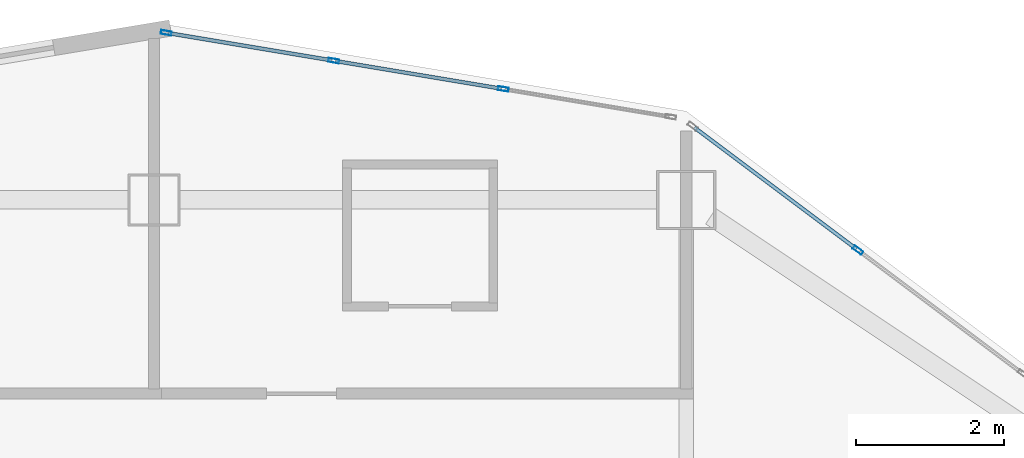
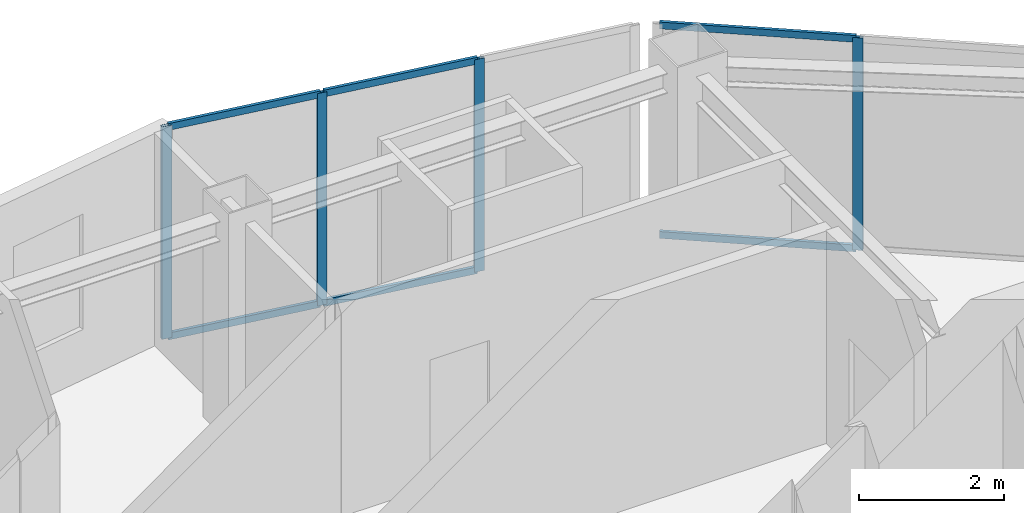
# One storey, part 2 of 9: 10 members, 2 elements without a shape of their own.
"""IFC4 building model written with IfcOpenShell, lengths in metres."""

from ifc_helpers import new_model, si_unit, direction, frame, origin, origin_2d, place, context, subcontext, project, spatial, hollow_rectangle, extrude, material, layer, layer_set, material_profile, profile_set, type_object, element, aggregate, save


model = new_model("IFC4")

# Units and contexts
model_context = context("Model", 3, precision=1e-05, world=origin(), true_north=direction((0.0, 1.0)))
body_context = subcontext(model_context, "Body", "Model", "MODEL_VIEW")
ifc_project = project(units=[si_unit("LENGTHUNIT", "METRE"), si_unit("AREAUNIT", "SQUARE_METRE"), si_unit("VOLUMEUNIT", "CUBIC_METRE"), si_unit("PLANEANGLEUNIT", "RADIAN"), si_unit("MASSUNIT", "GRAM", prefix="KILO")], contexts=[model_context])

# Site, building, storey
site_placement = place(None, origin())
site = spatial("IfcSite", under=ifc_project, at=site_placement, CompositionType="ELEMENT")
building_placement = place(site_placement, origin())
building = spatial("IfcBuilding", under=site, at=building_placement, Name="Haolan Belvedere Tower", CompositionType="ELEMENT")
storey_placement = place(building_placement, frame((0.0, 0.0, 273.699951171875)))
storey = spatial("IfcBuildingStorey", under=building, at=storey_placement, Name="L69", CompositionType="ELEMENT", Elevation=273.699951171875)

# Curtain wall, member
ifc_material_1 = material(Name="Anodised champagne-silver aluminium 6063-T6 and Low-E glass", Category="aluminium")
ifc_layer = layer(ifc_material_1, 0.14501953125, Name="Anodised champagne-silver aluminium 6063-T6 and Low-E glass")
ifc_layer_set = layer_set([ifc_layer], Name="Anodised champagne-silver aluminium 6063-T6 and Low-E glass")
curtain_wall_type = type_object("IfcCurtainWallType", Name="CW-SYS-05", PredefinedType="NOTDEFINED", material=ifc_layer_set)
curtain_wall_1_placement = place(storey_placement, origin())
curtain_wall_1 = element("IfcCurtainWall", 1, at=curtain_wall_1_placement, inside=storey, type_object=curtain_wall_type, Name="L69 CW-SYS-05 ribbon curtain wall 8.1", PredefinedType="NOTDEFINED")
ifc_material_2 = material(Name="Anodised aluminium 6063-T6", Category="aluminium")
ifc_material_profile_1 = material_profile(ifc_material_2, hollow_rectangle(XDim=0.053955078125, YDim=0.14501953125, WallThickness=0.00390625, at=origin_2d()), Name="Anodised aluminium 6063-T6")
ifc_profile_set_1 = profile_set([ifc_material_profile_1], Name="Anodised aluminium 6063-T6")
member_type_1 = type_object("IfcMemberType", Name="CW-SYS-05-MUL", PredefinedType="MULLION", material=ifc_profile_set_1)
member_1_placement = place(storey_placement, frame((47.9228515625, 49.720458984375, 0.0), z_axis=(0.0, 0.0, 1.0), x_axis=(-0.600002837806, -0.799997871638, 0.0)))
member_1 = element("IfcMember", 2, at=member_1_placement, type_object=member_type_1, Name="CW-05 mullion 2", PredefinedType="MULLION", context=body_context, shape_type="SweptSolid", body=[
    extrude(hollow_rectangle(XDim=0.053955078125, YDim=0.14501953125, WallThickness=0.00390625, at=origin_2d()), origin(), (0.0, 0.0, 1.0), 3.590087890625),
])

# Curtain wall, members
curtain_wall_2_placement = place(storey_placement, origin())
curtain_wall_2 = element("IfcCurtainWall", 3, at=curtain_wall_2_placement, inside=storey, type_object=curtain_wall_type, Name="L69 CW-SYS-05 ribbon curtain wall 9.1", PredefinedType="NOTDEFINED")
member_2_placement = place(storey_placement, frame((43.124267578125, 51.901123046875, 0.0), z_axis=(0.0, 0.0, 1.0), x_axis=(-0.164405962825, -0.98639276122, 0.0)))
member_2 = element("IfcMember", 4, at=member_2_placement, type_object=member_type_1, Name="CW-05 mullion 2", PredefinedType="MULLION", context=body_context, shape_type="SweptSolid", body=[
    extrude(hollow_rectangle(XDim=0.053955078125, YDim=0.14501953125, WallThickness=0.00390625, at=origin_2d()), origin(), (0.0, 0.0, 1.0), 3.590087890625),
])
member_3_placement = place(storey_placement, frame((40.831298828125, 52.283203125, 0.0), z_axis=(0.0, 0.0, 1.0), x_axis=(-0.164405962825, -0.98639276122, 0.0)))
member_3 = element("IfcMember", 5, at=member_3_placement, type_object=member_type_1, Name="CW-05 mullion 3", PredefinedType="MULLION", context=body_context, shape_type="SweptSolid", body=[
    extrude(hollow_rectangle(XDim=0.053955078125, YDim=0.14501953125, WallThickness=0.00390625, at=origin_2d()), origin(), (0.0, 0.0, 1.0), 3.590087890625),
])
member_4_placement = place(storey_placement, frame((38.564697265625, 52.6611328125, 0.0), z_axis=(0.0, 0.0, 1.0), x_axis=(-0.164405962825, -0.98639276122, 0.0)))
member_4 = element("IfcMember", 6, at=member_4_placement, type_object=member_type_1, Name="CW-05 mullion 4", PredefinedType="MULLION", context=body_context, shape_type="SweptSolid", body=[
    extrude(hollow_rectangle(XDim=0.053955078125, YDim=0.14501953125, WallThickness=0.00390625, at=origin_2d()), origin(), (0.0, 0.0, 1.0), 3.590087890625),
])

# Member
ifc_material_profile_2 = material_profile(ifc_material_2, hollow_rectangle(XDim=0.050048828125, YDim=0.114990234375, WallThickness=0.00390625, at=origin_2d()), Name="Anodised aluminium 6063-T6")
ifc_profile_set_2 = profile_set([ifc_material_profile_2], Name="Anodised aluminium 6063-T6")
member_type_2 = type_object("IfcMemberType", Name="CW-SYS-05-TRN", PredefinedType="USERDEFINED", material=ifc_profile_set_2)
member_5_placement = place(storey_placement, frame((47.901123046875, 49.736572265625, 0.025146484375), z_axis=(-0.8, 0.6, 0.0), x_axis=(-0.6, -0.8, 0.0)))
member_5 = element("IfcMember", 7, at=member_5_placement, type_object=member_type_2, Name="CW-05 transom 2.1", ObjectType="TRANSOM", PredefinedType="USERDEFINED", context=body_context, shape_type="SweptSolid", body=[
    extrude(hollow_rectangle(XDim=0.050048828125, YDim=0.114990234375, WallThickness=0.00390625, at=origin_2d()), origin(), (0.0, 0.0, 1.0), 2.738037109375),
])

member_6_placement = place(storey_placement, frame((47.901123046875, 49.736572265625, 3.56494140625), z_axis=(-0.8, 0.6, 0.0), x_axis=(-0.6, -0.8, 0.0)))
member_6 = element("IfcMember", 8, at=member_6_placement, type_object=member_type_2, Name="CW-05 transom 2.2", ObjectType="TRANSOM", PredefinedType="USERDEFINED", context=body_context, shape_type="SweptSolid", body=[
    extrude(hollow_rectangle(XDim=0.050048828125, YDim=0.114990234375, WallThickness=0.00390625, at=origin_2d()), origin(), (0.0, 0.0, 1.0), 2.738037109375),
])

aggregate(curtain_wall_1, [member_1, member_5, member_6])

member_7_placement = place(storey_placement, frame((43.09765625, 51.905517578125, 0.025146484375), z_axis=(-0.986393923832, 0.164398987305, 0.0), x_axis=(-0.164398987305, -0.986393923832, 0.0)))
member_7 = element("IfcMember", 9, at=member_7_placement, type_object=member_type_2, Name="CW-05 transom 2.1", ObjectType="TRANSOM", PredefinedType="USERDEFINED", context=body_context, shape_type="SweptSolid", body=[
    extrude(hollow_rectangle(XDim=0.050048828125, YDim=0.114990234375, WallThickness=0.00390625, at=origin_2d()), origin(), (0.0, 0.0, 1.0), 2.270751953125),
])

member_8_placement = place(storey_placement, frame((43.09765625, 51.905517578125, 3.56494140625), z_axis=(-0.986393923832, 0.164398987305, 0.0), x_axis=(-0.164398987305, -0.986393923832, 0.0)))
member_8 = element("IfcMember", 10, at=member_8_placement, type_object=member_type_2, Name="CW-05 transom 2.2", ObjectType="TRANSOM", PredefinedType="USERDEFINED", context=body_context, shape_type="SweptSolid", body=[
    extrude(hollow_rectangle(XDim=0.050048828125, YDim=0.114990234375, WallThickness=0.00390625, at=origin_2d()), origin(), (0.0, 0.0, 1.0), 2.270751953125),
])

member_9_placement = place(storey_placement, frame((40.8046875, 52.287841796875, 0.025146484375), z_axis=(-0.986393923832, 0.164398987305, 0.0), x_axis=(-0.164398987305, -0.986393923832, 0.0)))
member_9 = element("IfcMember", 11, at=member_9_placement, type_object=member_type_2, Name="CW-05 transom 3.1", ObjectType="TRANSOM", PredefinedType="USERDEFINED", context=body_context, shape_type="SweptSolid", body=[
    extrude(hollow_rectangle(XDim=0.050048828125, YDim=0.114990234375, WallThickness=0.00390625, at=origin_2d()), origin(), (0.0, 0.0, 1.0), 2.243896484375),
])

member_10_placement = place(storey_placement, frame((40.8046875, 52.287841796875, 3.56494140625), z_axis=(-0.986393923832, 0.164398987305, 0.0), x_axis=(-0.164398987305, -0.986393923832, 0.0)))
member_10 = element("IfcMember", 12, at=member_10_placement, type_object=member_type_2, Name="CW-05 transom 3.2", ObjectType="TRANSOM", PredefinedType="USERDEFINED", context=body_context, shape_type="SweptSolid", body=[
    extrude(hollow_rectangle(XDim=0.050048828125, YDim=0.114990234375, WallThickness=0.00390625, at=origin_2d()), origin(), (0.0, 0.0, 1.0), 2.243896484375),
])

aggregate(curtain_wall_2, [member_2, member_3, member_4, member_7, member_8, member_9, member_10])

save(model, "model.ifc")
